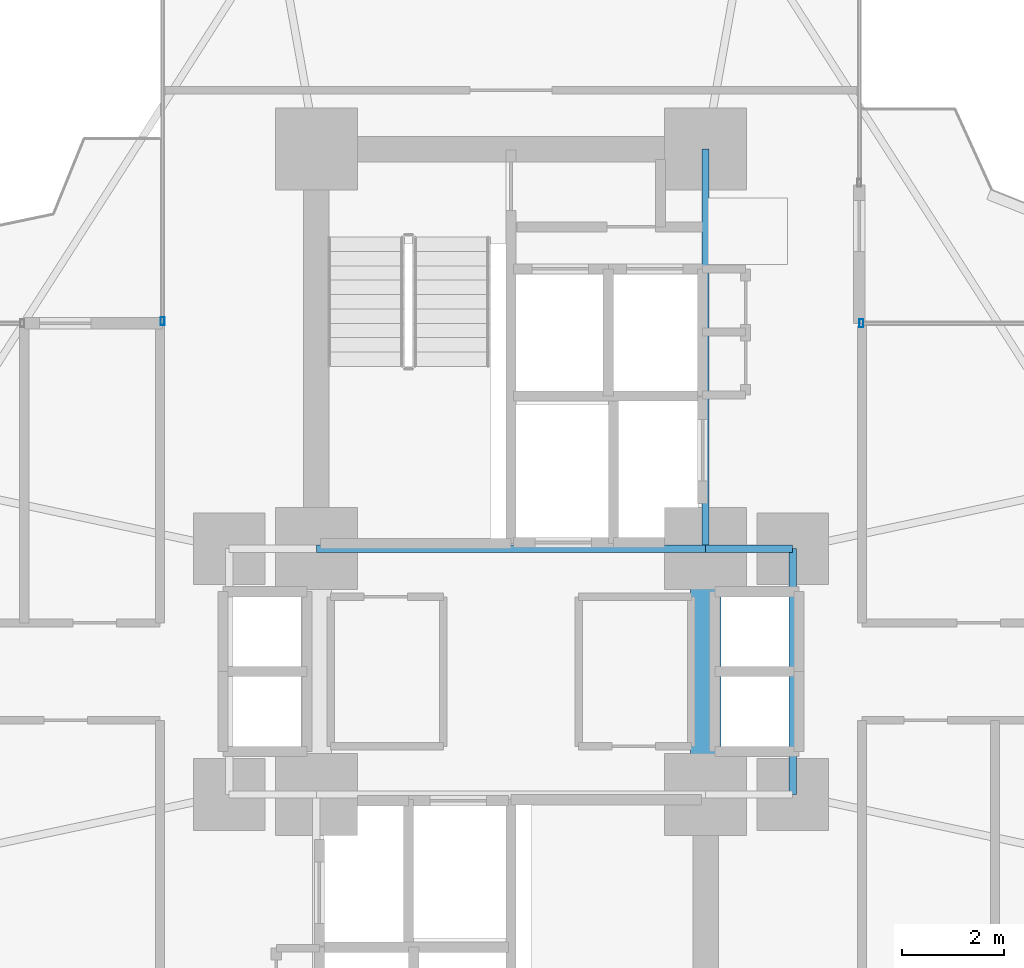
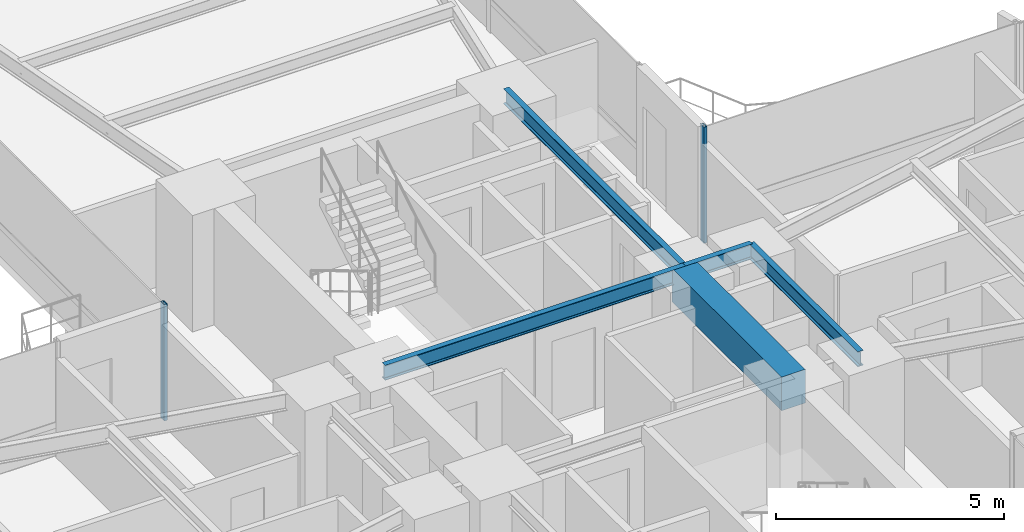
# One storey, part 12 of 25: 5 beams, 2 members, 2 elements without a shape of their own.
"""IFC4 building model written with IfcOpenShell, lengths in metres."""

from ifc_helpers import new_model, si_unit, direction, frame, origin, origin_2d, place, context, subcontext, project, spatial, rectangle, hollow_rectangle, i_section, extrude, source, transform, mapped, material, material_profile, profile_set, type_object, element, aggregate, save


model = new_model("IFC4")

# Units and contexts
model_context = context("Model", 3, precision=1e-05, world=origin(), true_north=direction((0.0, 1.0)))
body_context = subcontext(model_context, "Body", "Model", "MODEL_VIEW")
ifc_project = project(units=[si_unit("LENGTHUNIT", "METRE"), si_unit("AREAUNIT", "SQUARE_METRE"), si_unit("VOLUMEUNIT", "CUBIC_METRE"), si_unit("PLANEANGLEUNIT", "RADIAN"), si_unit("MASSUNIT", "GRAM", prefix="KILO")], contexts=[model_context])

# Site, building, storey
site_placement = place(None, origin())
site = spatial("IfcSite", under=ifc_project, at=site_placement, CompositionType="ELEMENT")
building_placement = place(site_placement, origin())
building = spatial("IfcBuilding", under=site, at=building_placement, Name="Sahyath Konkavel Grand Hotel", CompositionType="ELEMENT")
storey_placement = place(building_placement, frame((0.0, 0.0, 57.75)))
storey = spatial("IfcBuildingStorey", under=building, at=storey_placement, Name="L15", CompositionType="ELEMENT", Elevation=57.75)

# Beams
ifc_material_1 = material(Name="Concrete C70/85", Category="concrete")
ifc_material_profile_1 = material_profile(ifc_material_1, rectangle(XDim=0.60009765625, YDim=0.89990234375, at=origin_2d()), Name="RC 600x900")
ifc_profile_set_1 = profile_set([ifc_material_profile_1], Name="Concrete C70/85")
beam_type_1 = type_object("IfcBeamType", Name="BM-CB600x900", PredefinedType="LINTEL", material=ifc_profile_set_1)
shared_shape_1 = source(origin(), body_context, "Body", "SweptSolid", [
    extrude(rectangle(XDim=0.60009765625, YDim=0.89990234375, at=origin_2d()), origin(), (0.0, 0.0, 1.0), 4.7998046875),
])
beam_1_placement = place(storey_placement, frame((3.800048828125, -2.39990234375, 2.659912109375), z_axis=(0.0, 1.0, 0.0), x_axis=(-1.0, 0.0, 0.0)))
element("IfcBeam", 1, at=beam_1_placement, inside=storey, type_object=beam_type_1, Name="L15 Split-Core Coupling Beam East", PredefinedType="LINTEL", context=body_context, shape_type="MappedRepresentation", body=[
    mapped(shared_shape_1, transform((0.0, 0.0, 0.0), scale=1.0)),
])
ifc_material_2 = material(Name="Steel E350", Category="steel")
ifc_material_profile_2 = material_profile(ifc_material_2, i_section(OverallWidth=0.139892578125, OverallDepth=0.39990234375, WebThickness=0.0087890625, FlangeThickness=0.01611328125, FilletRadius=0.013916015625, at=origin_2d()), Name="ISMB 400")
ifc_profile_set_2 = profile_set([ifc_material_profile_2], Name="Steel E350")
beam_type_2 = type_object("IfcBeamType", Name="BM-ISMB400", PredefinedType="BEAM", material=ifc_profile_set_2)
shared_shape_2 = source(origin(), body_context, "Body", "SweptSolid", [
    extrude(i_section(OverallWidth=0.139892578125, OverallDepth=0.39990234375, WebThickness=0.0087890625, FlangeThickness=0.01611328125, FilletRadius=0.013916015625, at=origin_2d()), origin(), (0.0, 0.0, 1.0), 7.60009765625),
])
beam_2_placement = place(storey_placement, frame((-3.800048828125, 2.39990234375, 2.909912109375), z_axis=(1.0, 0.0, 0.0), x_axis=(0.0, 1.0, 0.0)))
element("IfcBeam", 2, at=beam_2_placement, inside=storey, type_object=beam_type_2, Name="str:bm:L15:NC-S", PredefinedType="BEAM", context=body_context, shape_type="MappedRepresentation", body=[
    mapped(shared_shape_2, transform((0.0, 0.0, 0.0), scale=1.0)),
])
shared_shape_3 = source(origin(), body_context, "Body", "SweptSolid", [
    extrude(i_section(OverallWidth=0.139892578125, OverallDepth=0.39990234375, WebThickness=0.0087890625, FlangeThickness=0.01611328125, FilletRadius=0.013916015625, at=origin_2d()), origin(), (0.0, 0.0, 1.0), 7.800048828125),
])
beam_3_placement = place(storey_placement, frame((3.800048828125, 2.39990234375, 2.909912109375), z_axis=(0.0, 1.0, 0.0), x_axis=(-1.0, 0.0, 0.0)))
element("IfcBeam", 3, at=beam_3_placement, inside=storey, type_object=beam_type_2, Name="str:bm:L15:NC-E", PredefinedType="BEAM", context=body_context, shape_type="MappedRepresentation", body=[
    mapped(shared_shape_3, transform((0.0, 0.0, 0.0), scale=1.0)),
])
shared_shape_4 = source(origin(), body_context, "Body", "SweptSolid", [
    extrude(i_section(OverallWidth=0.139892578125, OverallDepth=0.39990234375, WebThickness=0.0087890625, FlangeThickness=0.01611328125, FilletRadius=0.013916015625, at=origin_2d()), origin(), (0.0, 0.0, 1.0), 1.699951171875),
])
beam_4_placement = place(storey_placement, frame((3.800048828125, 2.39990234375, 2.909912109375), z_axis=(1.0, 0.0, 0.0), x_axis=(0.0, 1.0, 0.0)))
element("IfcBeam", 4, at=beam_4_placement, inside=storey, type_object=beam_type_2, Name="str:bm:L15:HB-NE", PredefinedType="BEAM", context=body_context, shape_type="MappedRepresentation", body=[
    mapped(shared_shape_4, transform((0.0, 0.0, 0.0), scale=1.0)),
])
shared_shape_5 = source(origin(), body_context, "Body", "SweptSolid", [
    extrude(i_section(OverallWidth=0.139892578125, OverallDepth=0.39990234375, WebThickness=0.0087890625, FlangeThickness=0.01611328125, FilletRadius=0.013916015625, at=origin_2d()), origin(), (0.0, 0.0, 1.0), 4.7998046875),
])
beam_5_placement = place(storey_placement, frame((5.5, -2.39990234375, 2.909912109375), z_axis=(0.0, 1.0, 0.0), x_axis=(-1.0, 0.0, 0.0)))
element("IfcBeam", 5, at=beam_5_placement, inside=storey, type_object=beam_type_2, Name="str:bm:L15:HB-E", PredefinedType="BEAM", context=body_context, shape_type="MappedRepresentation", body=[
    mapped(shared_shape_5, transform((0.0, 0.0, 0.0), scale=1.0)),
])

# Curtain wall, member
ifc_material_3 = material(Name="Anodised Bronze Aluminium & Low-E Glazing", Category="aluminium")
curtain_wall_type = type_object("IfcCurtainWallType", Name="CW-ZONE1", PredefinedType="NOTDEFINED", material=ifc_material_3)
curtain_wall_1_placement = place(storey_placement, origin())
curtain_wall_1 = element("IfcCurtainWall", 6, at=curtain_wall_1_placement, inside=storey, type_object=curtain_wall_type, Name="L15 Unitised Curtain Wall F7", PredefinedType="NOTDEFINED")
ifc_material_4 = material(Name="Anodised Bronze Aluminium", Category="aluminium")
ifc_material_profile_3 = material_profile(ifc_material_4, hollow_rectangle(XDim=0.080078125, YDim=0.159912109375, WallThickness=0.006103515625, at=origin_2d()), Name="RHS 160x80x6")
ifc_profile_set_3 = profile_set([ifc_material_profile_3], Name="Anodised Bronze Aluminium")
member_type = type_object("IfcMemberType", Name="CW-MUL-160", PredefinedType="MULLION", material=ifc_profile_set_3)
shared_shape_6 = source(origin(), body_context, "Body", "SweptSolid", [
    extrude(hollow_rectangle(XDim=0.080078125, YDim=0.159912109375, WallThickness=0.006103515625, at=origin_2d()), origin(), (0.0, 0.0, 1.0), 3.110107421875),
])
member_1_placement = place(storey_placement, frame((6.840087890625, 6.800048828125, 0.0), z_axis=(0.0, 0.0, 1.0), x_axis=(1.0, 0.0, 0.0)))
member_1 = element("IfcMember", 7, at=member_1_placement, type_object=member_type, Name="L15 Curtain Wall Mullion F7-2", PredefinedType="MULLION", context=body_context, shape_type="MappedRepresentation", body=[
    mapped(shared_shape_6, transform((0.0, 0.0, 0.0), scale=1.0)),
])
aggregate(curtain_wall_1, [member_1])

curtain_wall_2_placement = place(storey_placement, origin())
curtain_wall_2 = element("IfcCurtainWall", 8, at=curtain_wall_2_placement, inside=storey, type_object=curtain_wall_type, Name="L15 Unitised Curtain Wall F15", PredefinedType="NOTDEFINED")
member_2_placement = place(storey_placement, frame((-6.800048828125, 6.840087890625, 0.0), z_axis=(0.0, 0.0, 1.0), x_axis=(1.0, 0.0, 0.0)))
member_2 = element("IfcMember", 9, at=member_2_placement, type_object=member_type, Name="L15 Curtain Wall Mullion F15-2", PredefinedType="MULLION", context=body_context, shape_type="MappedRepresentation", body=[
    mapped(shared_shape_6, transform((0.0, 0.0, 0.0), scale=1.0)),
])
aggregate(curtain_wall_2, [member_2])

save(model, "model.ifc")
